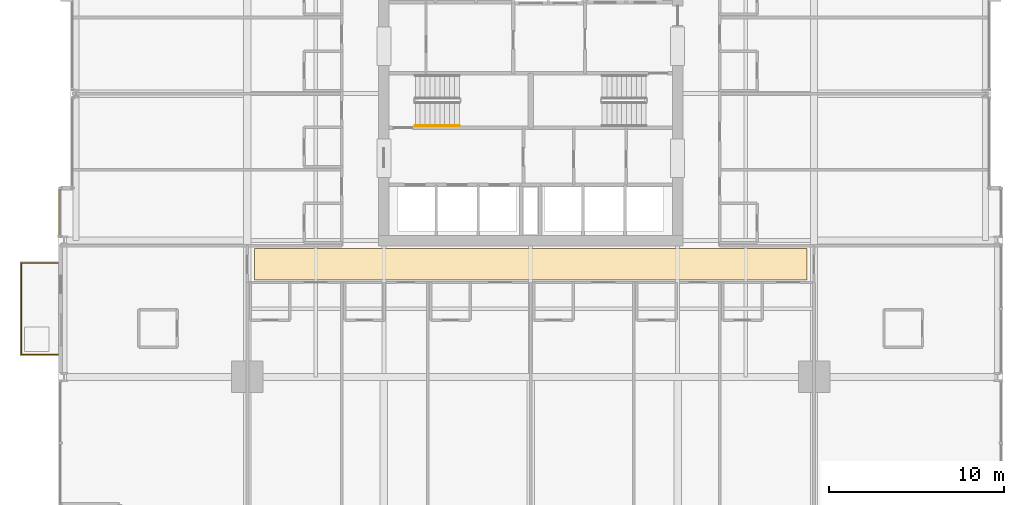
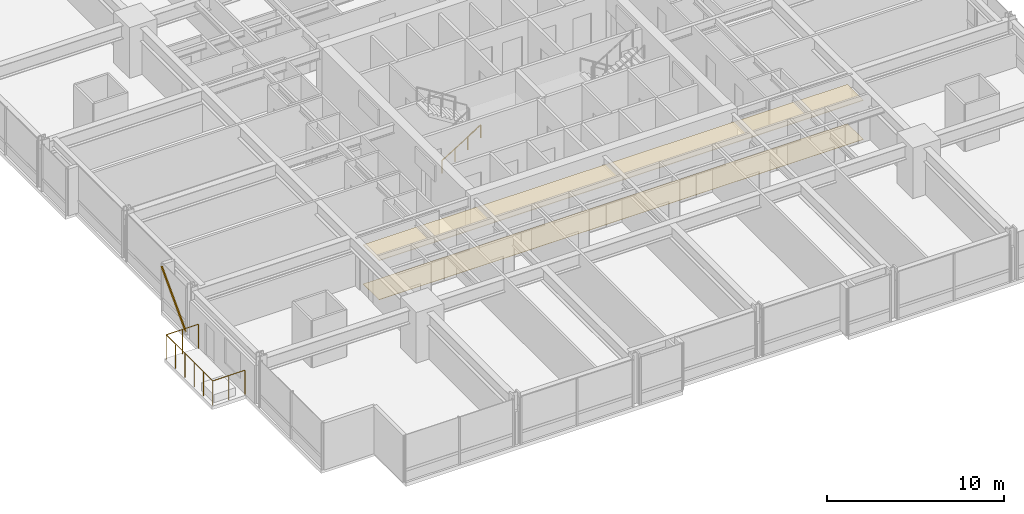
# One storey, part 36 of 39: 2 coverings, 2 railings, 1 shading device.
"""IFC4 building model written with IfcOpenShell, lengths in metres."""

from ifc_helpers import new_model, si_unit, direction, frame, origin, origin_2d, place, context, subcontext, project, spatial, polyline, hollow_rectangle, circle, outline, extrude, material, layer, layer_set, material_profile, profile_set, type_object, element, save


model = new_model("IFC4")

# Units and contexts
model_context = context("Model", 3, precision=1e-05, world=origin(), true_north=direction((0.0, 1.0)))
body_context = subcontext(model_context, "Body", "Model", "MODEL_VIEW")
ifc_project = project(units=[si_unit("LENGTHUNIT", "METRE"), si_unit("AREAUNIT", "SQUARE_METRE"), si_unit("VOLUMEUNIT", "CUBIC_METRE"), si_unit("PLANEANGLEUNIT", "RADIAN"), si_unit("MASSUNIT", "GRAM", prefix="KILO")], contexts=[model_context])

# Site, building, storey
site_placement = place(None, origin())
site = spatial("IfcSite", under=ifc_project, at=site_placement, CompositionType="ELEMENT")
building_placement = place(site_placement, origin())
building = spatial("IfcBuilding", under=site, at=building_placement, Name="Drelvath Grand Hotel", CompositionType="ELEMENT")
storey_placement = place(building_placement, frame((0.0, 0.0, 40.199951171875)))
storey = spatial("IfcBuildingStorey", under=building, at=storey_placement, Name="L08", CompositionType="ELEMENT", Elevation=40.199951171875)

# Railing
ifc_material_1 = material(Name="Painted Steel S275", Category="steel")
railing_type_1 = type_object("IfcRailingType", Name="Core Stair Wall Handrail 900", PredefinedType="HANDRAIL", material=ifc_material_1)
railing_1_placement = place(storey_placement, frame((-6.60009765625, 25.169921875, 0.175048828125)))
element("IfcRailing", 1, at=railing_1_placement, inside=storey, type_object=railing_type_1, Name="L08 ST-1 stair handrail 1", PredefinedType="HANDRAIL", context=body_context, shape_type="SweptSolid", body=[
    extrude(circle(Radius=0.02392578125, at=origin_2d()), frame((0.0, 0.0, 0.8759765625), z_axis=(0.848007534815, 0.0, 0.529984170421), x_axis=(0.0, 1.0, 0.0)), (0.0, 0.0, 1.0), 2.9716796875),
    extrude(circle(Radius=0.02099609375, at=origin_2d()), origin(), (0.0, 0.0, 1.0), 0.851806640625),
    extrude(circle(Radius=0.02099609375, at=origin_2d()), frame((0.840087890625, 0.0, 0.52490234375)), (0.0, 0.0, 1.0), 0.851806640625),
    extrude(circle(Radius=0.02099609375, at=origin_2d()), frame((1.679931640625, 0.0, 1.050048828125)), (0.0, 0.0, 1.0), 0.851806640625),
    extrude(circle(Radius=0.02099609375, at=origin_2d()), frame((2.52001953125, 0.0, 1.574951171875)), (0.0, 0.0, 1.0), 0.851806640625),
])

# Shading device
ifc_material_2 = material(Name="Warm Bronze Anodised Aluminium", Category="aluminium")
ifc_material_profile = material_profile(ifc_material_2, hollow_rectangle(XDim=0.06494140625, YDim=0.159912109375, WallThickness=0.00390625, at=origin_2d()), Name="HSS160X65X4")
ifc_profile_set = profile_set([ifc_material_profile], Name="Warm Bronze Anodised Aluminium")
shading_device_type = type_object("IfcShadingDeviceType", Name="Diagonal Solar Fin Warm Bronze Anodised HSS160X65X4", PredefinedType="USERDEFINED", material=ifc_profile_set)
shading_device_placement = place(storey_placement, frame((-26.9599609375, 18.8408203125, 0.179931640625), z_axis=(0.0, 0.691795011039, 0.722093943128), x_axis=(-1.0, 0.0, 0.0)))
element("IfcShadingDevice", 2, at=shading_device_placement, inside=storey, type_object=shading_device_type, Name="L08 Diagonal Anodised Fin CW02-L08-WS3", ObjectType="FIN", PredefinedType="USERDEFINED", context=body_context, shape_type="SweptSolid", body=[
    extrude(hollow_rectangle(XDim=0.06494140625, YDim=0.159912109375, WallThickness=0.00390625, at=origin_2d()), origin(), (0.0, 0.0, 1.0), 3.988525390625),
])

# Coverings
ifc_material_3 = material(Name="Woven Wool Broadloom Carpet")
ifc_layer_1 = layer(ifc_material_3, 0.01806640625)
ifc_layer_set_1 = layer_set([ifc_layer_1], Name="Woven Wool Broadloom Carpet")
covering_type_1 = type_object("IfcCoveringType", Name="Hospitality Broadloom Carpet 18", PredefinedType="FLOORING", material=ifc_layer_set_1)
covering_1_placement = place(storey_placement, origin())
element("IfcCovering", 3, at=covering_1_placement, inside=storey, type_object=covering_type_1, Name="L08 Corridor Broadloom Carpet", PredefinedType="FLOORING", context=body_context, shape_type="SweptSolid", body=[
    extrude(outline(polyline([(15.800048828125, 16.35009765625), (15.800048828125, 18.14990234375), (-15.800048828125, 18.14990234375), (-15.800048828125, 16.35009765625), (15.800048828125, 16.35009765625)])), origin(), (0.0, 0.0, 1.0), 0.01806640625),
])
ifc_material_4 = material(Name="Anodised Aluminium Alloy", Category="aluminium")
ifc_layer_2 = layer(ifc_material_4, 0.0400390625)
ifc_layer_set_2 = layer_set([ifc_layer_2], Name="Anodised Aluminium Alloy")
covering_type_2 = type_object("IfcCoveringType", Name="Perforated Metal Corridor Ceiling 40", PredefinedType="CEILING", material=ifc_layer_set_2)
covering_2_placement = place(storey_placement, frame((0.0, 0.0, 2.68994140625)))
element("IfcCovering", 4, at=covering_2_placement, inside=storey, type_object=covering_type_2, Name="L08 Corridor Acoustic Ceiling", PredefinedType="CEILING", context=body_context, shape_type="SweptSolid", body=[
    extrude(outline(polyline([(15.800048828125, 16.35009765625), (15.800048828125, 18.14990234375), (-15.800048828125, 18.14990234375), (-15.800048828125, 16.35009765625), (15.800048828125, 16.35009765625)])), origin(), (0.0, 0.0, 1.0), 0.0400390625),
])

# Railing
ifc_material_5 = material(Name="Anodised Aluminium and Laminated Glass Balustrade", Category="aluminium")
railing_type_2 = type_object("IfcRailingType", Name="Raised Planter Edge Balustrade 1700", PredefinedType="BALUSTRADE", material=ifc_material_5)
railing_2_placement = place(storey_placement, frame((-27.02001953125, 12.080078125, 0.0)))
element("IfcRailing", 5, at=railing_2_placement, inside=storey, type_object=railing_type_2, Name="L08 Tree Balcony Perimeter Balustrade 1", PredefinedType="BALUSTRADE", context=body_context, shape_type="SweptSolid", body=[
    extrude(circle(Radius=0.02392578125, at=origin_2d()), frame((0.0, 0.0, 1.67578125), z_axis=(-1.0, 0.0, 0.0), x_axis=(0.0, -1.0, 0.0)), (0.0, 0.0, 1.0), 2.10009765625),
    extrude(circle(Radius=0.02392578125, at=origin_2d()), frame((-2.10009765625, 0.0, 1.67578125), z_axis=(0.0, 1.0, 0.0), x_axis=(-1.0, 0.0, 0.0)), (0.0, 0.0, 1.0), 5.239990234375),
    extrude(circle(Radius=0.02392578125, at=origin_2d()), frame((-2.10009765625, 5.239990234375, 1.67578125), z_axis=(1.0, 0.0, 0.0), x_axis=(0.0, 1.0, 0.0)), (0.0, 0.0, 1.0), 2.10009765625),
    extrude(circle(Radius=0.02099609375, at=origin_2d()), origin(), (0.0, 0.0, 1.0), 1.65185546875),
    extrude(circle(Radius=0.02099609375, at=origin_2d()), frame((-1.050048828125, 0.0, 0.0)), (0.0, 0.0, 1.0), 1.65185546875),
    extrude(circle(Radius=0.02099609375, at=origin_2d()), frame((-2.10009765625, 0.0, 0.0)), (0.0, 0.0, 1.0), 1.65185546875),
    extrude(circle(Radius=0.02099609375, at=origin_2d()), frame((-2.10009765625, 1.048095703125, 0.0)), (0.0, 0.0, 1.0), 1.65185546875),
    extrude(circle(Radius=0.02099609375, at=origin_2d()), frame((-2.10009765625, 2.095947265625, 0.0)), (0.0, 0.0, 1.0), 1.65185546875),
    extrude(circle(Radius=0.02099609375, at=origin_2d()), frame((-2.10009765625, 3.14404296875, 0.0)), (0.0, 0.0, 1.0), 1.65185546875),
    extrude(circle(Radius=0.02099609375, at=origin_2d()), frame((-2.10009765625, 4.19189453125, 0.0)), (0.0, 0.0, 1.0), 1.65185546875),
    extrude(circle(Radius=0.02099609375, at=origin_2d()), frame((-2.10009765625, 5.239990234375, 0.0)), (0.0, 0.0, 1.0), 1.65185546875),
    extrude(circle(Radius=0.02099609375, at=origin_2d()), frame((-1.050048828125, 5.239990234375, 0.0)), (0.0, 0.0, 1.0), 1.65185546875),
    extrude(circle(Radius=0.02099609375, at=origin_2d()), frame((0.0, 5.239990234375, 0.0)), (0.0, 0.0, 1.0), 1.65185546875),
])

save(model, "model.ifc")
